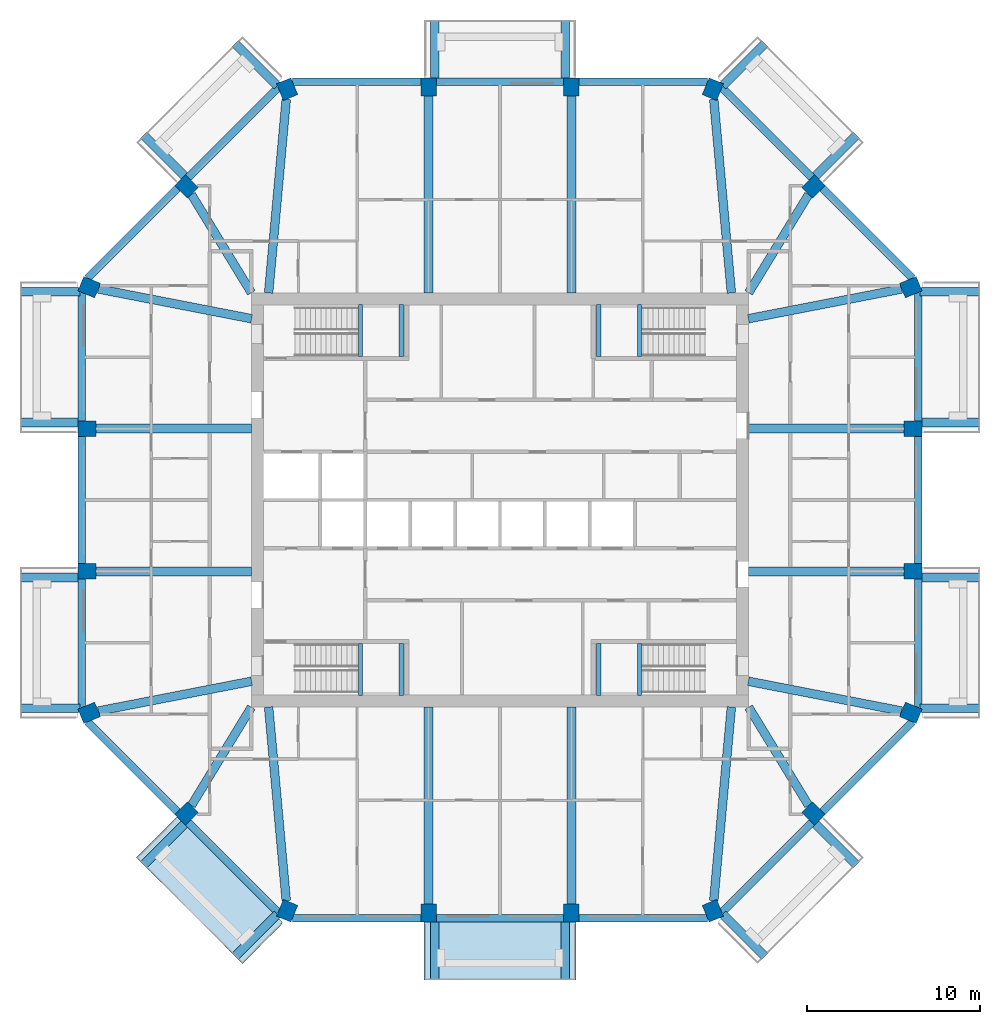
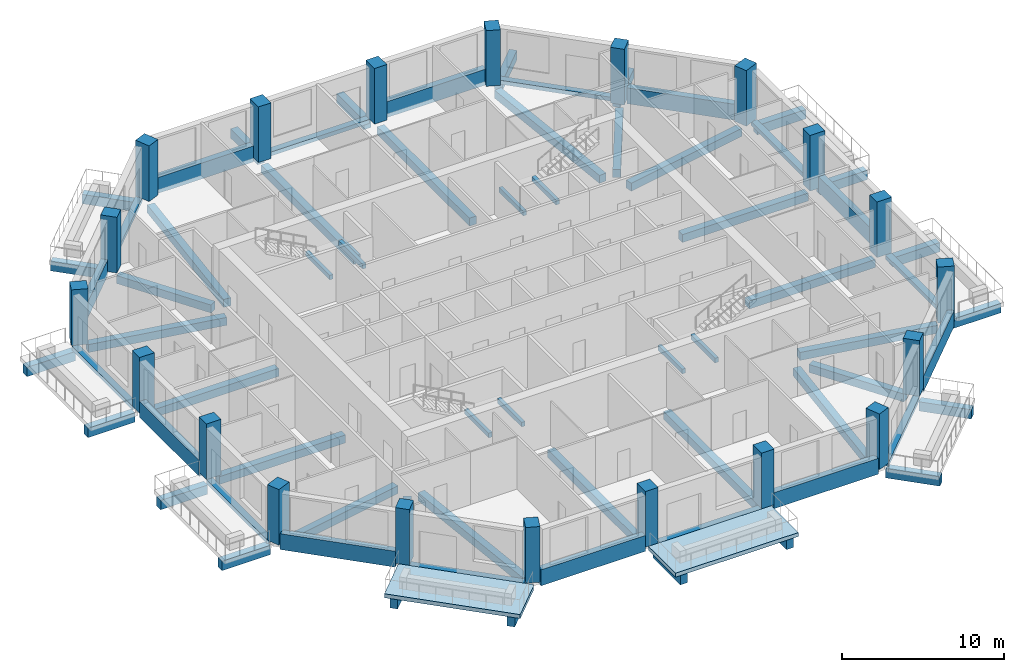
# One storey, part 1 of 12: 68 beams, 20 columns, 2 slabs.
"""IFC4 building model written with IfcOpenShell, lengths in metres."""

from ifc_helpers import new_model, si_unit, direction, frame, origin, origin_2d, place, context, subcontext, project, spatial, polyline, rectangle, outline, extrude, material, layer, layer_set, material_profile, profile_set, type_object, element, save


model = new_model("IFC4")

# Units and contexts
model_context = context("Model", 3, precision=1e-05, world=origin(), true_north=direction((0.0, 1.0)))
body_context = subcontext(model_context, "Body", "Model", "MODEL_VIEW")
ifc_project = project(units=[si_unit("LENGTHUNIT", "METRE"), si_unit("AREAUNIT", "SQUARE_METRE"), si_unit("VOLUMEUNIT", "CUBIC_METRE"), si_unit("PLANEANGLEUNIT", "RADIAN"), si_unit("MASSUNIT", "GRAM", prefix="KILO")], contexts=[model_context])

# Site, building, storey
site_placement = place(None, origin())
site = spatial("IfcSite", under=ifc_project, at=site_placement, CompositionType="ELEMENT")
building_placement = place(site_placement, origin())
building = spatial("IfcBuilding", under=site, at=building_placement, Name="Msitu Wima Residences", CompositionType="ELEMENT")
storey_placement = place(building_placement, frame((0.0, 0.0, 166.5)))
storey = spatial("IfcBuildingStorey", under=building, at=storey_placement, Name="L38", CompositionType="ELEMENT", Elevation=166.5)

# Columns
ifc_material_1 = material(Name="Concrete C60/75", Category="concrete")
ifc_material_profile_1 = material_profile(ifc_material_1, rectangle(XDim=0.89990234375, YDim=1.050048828125, at=origin_2d()), Name="RC 900x1050")
ifc_profile_set_1 = profile_set([ifc_material_profile_1], Name="Concrete C60/75")
column_type = type_object("IfcColumnType", Name="Column RC 900x1050 Concrete C60/75", PredefinedType="COLUMN", material=ifc_profile_set_1)
for number, where, z_axis, x_axis, name in (
    (1, (23.792724609375, -12.325927734375, 0.0), (0.0, 0.0, 1.0), (0.382683496864, 0.923879505795, 0.0), "Column L38 C-E0"),
    (2, (23.925048828125, -4.13720703125, 0.0), (0.0, 0.0, 1.0), (0.0, 1.0, 0.0), "Column L38 C-E1"),
    (3, (23.925048828125, 4.13720703125, 0.0), (0.0, 0.0, 1.0), (0.0, 1.0, 0.0), "Column L38 C-E2"),
    (4, (23.792724609375, 12.325927734375, 0.0), (0.0, 0.0, 1.0), (-0.382683496864, 0.923879505795, 0.0), "Column L38 C-NE0"),
    (5, (18.15283203125, 18.15283203125, 0.0), (0.0, 0.0, 1.0), (-0.707106781187, 0.707106781187, 0.0), "Column L38 C-NE1"),
    (6, (12.325927734375, 23.792724609375, 0.0), (0.0, 0.0, 1.0), (-0.923879505795, 0.382683496864, 0.0), "Column L38 C-N0"),
    (7, (4.13720703125, 23.925048828125, 0.0), (0.0, 0.0, 1.0), (-1.0, 0.0, 0.0), "Column L38 C-N1"),
    (8, (-4.13720703125, 23.925048828125, 0.0), (0.0, 0.0, 1.0), (-1.0, 0.0, 0.0), "Column L38 C-N2"),
    (9, (-12.325927734375, 23.792724609375, 0.0), (0.0, 0.0, 1.0), (-0.923879505795, -0.382683496864, 0.0), "Column L38 C-NW0"),
    (10, (-18.15283203125, 18.15283203125, 0.0), (0.0, 0.0, 1.0), (-0.707106781187, -0.707106781187, 0.0), "Column L38 C-NW1"),
    (11, (-23.792724609375, 12.325927734375, 0.0), (0.0, 0.0, 1.0), (-0.382683496864, -0.923879505795, 0.0), "Column L38 C-W0"),
    (12, (-23.925048828125, 4.13720703125, 0.0), (0.0, 0.0, 1.0), (0.0, -1.0, 0.0), "Column L38 C-W1"),
    (13, (-23.925048828125, -4.13720703125, 0.0), (0.0, 0.0, 1.0), (0.0, -1.0, 0.0), "Column L38 C-W2"),
    (14, (-23.792724609375, -12.325927734375, 0.0), (0.0, 0.0, 1.0), (0.382683496864, -0.923879505795, 0.0), "Column L38 C-SW0"),
    (15, (-18.15283203125, -18.15283203125, 0.0), (0.0, 0.0, 1.0), (0.707106781187, -0.707106781187, 0.0), "Column L38 C-SW1"),
    (16, (-12.325927734375, -23.792724609375, 0.0), (0.0, 0.0, 1.0), (0.923879505795, -0.382683496864, 0.0), "Column L38 C-S0"),
    (17, (-4.13720703125, -23.925048828125, 0.0), (0.0, 0.0, 1.0), (1.0, 0.0, 0.0), "Column L38 C-S1"),
    (18, (4.13720703125, -23.925048828125, 0.0), (0.0, 0.0, 1.0), (1.0, 0.0, 0.0), "Column L38 C-S2"),
    (19, (12.325927734375, -23.792724609375, 0.0), (0.0, 0.0, 1.0), (0.923879505795, 0.382683496864, 0.0), "Column L38 C-SE0"),
    (20, (18.15283203125, -18.15283203125, 0.0), (0.0, 0.0, 1.0), (0.707106781187, 0.707106781187, 0.0), "Column L38 C-SE1"),
):
    element("IfcColumn", number, at=place(storey_placement, frame(where, z_axis=z_axis, x_axis=x_axis)), inside=storey, type_object=column_type, Name=name, PredefinedType="COLUMN", context=body_context, shape_type="SweptSolid", body=[
        extrude(rectangle(XDim=0.89990234375, YDim=1.050048828125, at=origin_2d()), origin(), (0.0, 0.0, 1.0), 4.199951171875),
    ])

# Beams
ifc_material_2 = material(Name="Concrete C50/60", Category="concrete")
ifc_material_profile_2 = material_profile(ifc_material_2, rectangle(XDim=0.5, YDim=0.60009765625, at=origin_2d()), Name="RC 500x600")
ifc_profile_set_2 = profile_set([ifc_material_profile_2], Name="Concrete C50/60")
beam_type_1 = type_object("IfcBeamType", Name="Beam RC 500x600 Concrete C50/60", PredefinedType="BEAM", material=ifc_profile_set_2)
beam_1_placement = place(storey_placement, frame((23.266845703125, -12.2236328125, -0.550048828125), z_axis=(-0.981627328559, 0.190808248841, 0.0), x_axis=(-0.190808248841, -0.981627328559, 0.0)))
element("IfcBeam", 21, at=beam_1_placement, inside=storey, type_object=beam_type_1, Name="Beam L38 C-E0", PredefinedType="BEAM", context=body_context, shape_type="SweptSolid", body=[
    extrude(rectangle(XDim=0.5, YDim=0.60009765625, at=origin_2d()), origin(), (0.0, 0.0, 1.0), 9.044921875),
])
for number, where, z_axis, x_axis, name in (
    (22, (23.39990234375, -4.13720703125, -0.550048828125), (-1.0, 0.0, 0.0), (0.0, -1.0, 0.0), "Beam L38 C-E1"),
    (23, (23.39990234375, 4.13720703125, -0.550048828125), (-1.0, 0.0, 0.0), (0.0, -1.0, 0.0), "Beam L38 C-E2"),
):
    element("IfcBeam", number, at=place(storey_placement, frame(where, z_axis=z_axis, x_axis=x_axis)), inside=storey, type_object=beam_type_1, Name=name, PredefinedType="BEAM", context=body_context, shape_type="SweptSolid", body=[
        extrude(rectangle(XDim=0.5, YDim=0.60009765625, at=origin_2d()), origin(), (0.0, 0.0, 1.0), 9.0),
    ])
beam_2_placement = place(storey_placement, frame((23.266845703125, 12.2236328125, -0.550048828125), z_axis=(-0.981627328559, -0.190808248841, 0.0), x_axis=(0.190808248841, -0.981627328559, 0.0)))
element("IfcBeam", 24, at=beam_2_placement, inside=storey, type_object=beam_type_1, Name="Beam L38 C-NE0", PredefinedType="BEAM", context=body_context, shape_type="SweptSolid", body=[
    extrude(rectangle(XDim=0.5, YDim=0.60009765625, at=origin_2d()), origin(), (0.0, 0.0, 1.0), 9.044921875),
])
beam_3_placement = place(storey_placement, frame((17.87158203125, 17.691650390625, -0.550048828125), z_axis=(-0.520734381113, -0.853718750132, 0.0), x_axis=(0.853718750132, -0.520734381113, 0.0)))
element("IfcBeam", 25, at=beam_3_placement, inside=storey, type_object=beam_type_1, Name="Beam L38 C-NE1", PredefinedType="BEAM", context=body_context, shape_type="SweptSolid", body=[
    extrude(rectangle(XDim=0.5, YDim=0.60009765625, at=origin_2d()), origin(), (0.0, 0.0, 1.0), 6.6669921875),
])
beam_4_placement = place(storey_placement, frame((12.379638671875, 23.2021484375, -0.550048828125), z_axis=(0.090713636077, -0.995877018627, 0.0), x_axis=(0.995877018627, 0.090713636077, 0.0)))
element("IfcBeam", 26, at=beam_4_placement, inside=storey, type_object=beam_type_1, Name="Beam L38 C-N0", PredefinedType="BEAM", context=body_context, shape_type="SweptSolid", body=[
    extrude(rectangle(XDim=0.5, YDim=0.60009765625, at=origin_2d()), origin(), (0.0, 0.0, 1.0), 11.260498046875),
])
for number, where, z_axis, x_axis, name in (
    (27, (4.13720703125, 23.39990234375, -0.550048828125), (0.0, -1.0, 0.0), (1.0, 0.0, 0.0), "Beam L38 C-N1"),
    (28, (-4.13720703125, 23.39990234375, -0.550048828125), (0.0, -1.0, 0.0), (1.0, 0.0, 0.0), "Beam L38 C-N2"),
):
    element("IfcBeam", number, at=place(storey_placement, frame(where, z_axis=z_axis, x_axis=x_axis)), inside=storey, type_object=beam_type_1, Name=name, PredefinedType="BEAM", context=body_context, shape_type="SweptSolid", body=[
        extrude(rectangle(XDim=0.5, YDim=0.60009765625, at=origin_2d()), origin(), (0.0, 0.0, 1.0), 11.39990234375),
    ])
beam_5_placement = place(storey_placement, frame((-12.379638671875, 23.2021484375, -0.550048828125), z_axis=(-0.090713636077, -0.995877018627, 0.0), x_axis=(0.995877018627, -0.090713636077, 0.0)))
element("IfcBeam", 29, at=beam_5_placement, inside=storey, type_object=beam_type_1, Name="Beam L38 C-NW0", PredefinedType="BEAM", context=body_context, shape_type="SweptSolid", body=[
    extrude(rectangle(XDim=0.5, YDim=0.60009765625, at=origin_2d()), origin(), (0.0, 0.0, 1.0), 11.260498046875),
])
beam_6_placement = place(storey_placement, frame((-17.87158203125, 17.691650390625, -0.550048828125), z_axis=(0.520734381113, -0.853718750132, 0.0), x_axis=(0.853718750132, 0.520734381113, 0.0)))
element("IfcBeam", 30, at=beam_6_placement, inside=storey, type_object=beam_type_1, Name="Beam L38 C-NW1", PredefinedType="BEAM", context=body_context, shape_type="SweptSolid", body=[
    extrude(rectangle(XDim=0.5, YDim=0.60009765625, at=origin_2d()), origin(), (0.0, 0.0, 1.0), 6.6669921875),
])
beam_7_placement = place(storey_placement, frame((-23.266845703125, 12.2236328125, -0.550048828125), z_axis=(0.981627328559, -0.190808248841, 0.0), x_axis=(0.190808248841, 0.981627328559, 0.0)))
element("IfcBeam", 31, at=beam_7_placement, inside=storey, type_object=beam_type_1, Name="Beam L38 C-W0", PredefinedType="BEAM", context=body_context, shape_type="SweptSolid", body=[
    extrude(rectangle(XDim=0.5, YDim=0.60009765625, at=origin_2d()), origin(), (0.0, 0.0, 1.0), 9.044921875),
])
for number, where, z_axis, x_axis, name in (
    (32, (-23.39990234375, 4.13720703125, -0.550048828125), (1.0, 0.0, 0.0), (0.0, 1.0, 0.0), "Beam L38 C-W1"),
    (33, (-23.39990234375, -4.13720703125, -0.550048828125), (1.0, 0.0, 0.0), (0.0, 1.0, 0.0), "Beam L38 C-W2"),
):
    element("IfcBeam", number, at=place(storey_placement, frame(where, z_axis=z_axis, x_axis=x_axis)), inside=storey, type_object=beam_type_1, Name=name, PredefinedType="BEAM", context=body_context, shape_type="SweptSolid", body=[
        extrude(rectangle(XDim=0.5, YDim=0.60009765625, at=origin_2d()), origin(), (0.0, 0.0, 1.0), 9.0),
    ])
beam_8_placement = place(storey_placement, frame((-23.266845703125, -12.2236328125, -0.550048828125), z_axis=(0.981627328559, 0.190808248841, 0.0), x_axis=(-0.190808248841, 0.981627328559, 0.0)))
element("IfcBeam", 34, at=beam_8_placement, inside=storey, type_object=beam_type_1, Name="Beam L38 C-SW0", PredefinedType="BEAM", context=body_context, shape_type="SweptSolid", body=[
    extrude(rectangle(XDim=0.5, YDim=0.60009765625, at=origin_2d()), origin(), (0.0, 0.0, 1.0), 9.044921875),
])
beam_9_placement = place(storey_placement, frame((-17.87158203125, -17.691650390625, -0.550048828125), z_axis=(0.520734381113, 0.853718750132, 0.0), x_axis=(-0.853718750132, 0.520734381113, 0.0)))
element("IfcBeam", 35, at=beam_9_placement, inside=storey, type_object=beam_type_1, Name="Beam L38 C-SW1", PredefinedType="BEAM", context=body_context, shape_type="SweptSolid", body=[
    extrude(rectangle(XDim=0.5, YDim=0.60009765625, at=origin_2d()), origin(), (0.0, 0.0, 1.0), 6.6669921875),
])
beam_10_placement = place(storey_placement, frame((-12.379638671875, -23.2021484375, -0.550048828125), z_axis=(-0.090713636077, 0.995877018627, 0.0), x_axis=(-0.995877018627, -0.090713636077, 0.0)))
element("IfcBeam", 36, at=beam_10_placement, inside=storey, type_object=beam_type_1, Name="Beam L38 C-S0", PredefinedType="BEAM", context=body_context, shape_type="SweptSolid", body=[
    extrude(rectangle(XDim=0.5, YDim=0.60009765625, at=origin_2d()), origin(), (0.0, 0.0, 1.0), 11.260498046875),
])
for number, where, z_axis, x_axis, name in (
    (37, (-4.13720703125, -23.39990234375, -0.550048828125), (0.0, 1.0, 0.0), (-1.0, 0.0, 0.0), "Beam L38 C-S1"),
    (38, (4.13720703125, -23.39990234375, -0.550048828125), (0.0, 1.0, 0.0), (-1.0, 0.0, 0.0), "Beam L38 C-S2"),
):
    element("IfcBeam", number, at=place(storey_placement, frame(where, z_axis=z_axis, x_axis=x_axis)), inside=storey, type_object=beam_type_1, Name=name, PredefinedType="BEAM", context=body_context, shape_type="SweptSolid", body=[
        extrude(rectangle(XDim=0.5, YDim=0.60009765625, at=origin_2d()), origin(), (0.0, 0.0, 1.0), 11.39990234375),
    ])
beam_11_placement = place(storey_placement, frame((12.379638671875, -23.2021484375, -0.550048828125), z_axis=(0.090713636077, 0.995877018627, 0.0), x_axis=(-0.995877018627, 0.090713636077, 0.0)))
element("IfcBeam", 39, at=beam_11_placement, inside=storey, type_object=beam_type_1, Name="Beam L38 C-SE0", PredefinedType="BEAM", context=body_context, shape_type="SweptSolid", body=[
    extrude(rectangle(XDim=0.5, YDim=0.60009765625, at=origin_2d()), origin(), (0.0, 0.0, 1.0), 11.260498046875),
])
beam_12_placement = place(storey_placement, frame((17.87158203125, -17.691650390625, -0.550048828125), z_axis=(-0.520734381113, 0.853718750132, 0.0), x_axis=(-0.853718750132, -0.520734381113, 0.0)))
element("IfcBeam", 40, at=beam_12_placement, inside=storey, type_object=beam_type_1, Name="Beam L38 C-SE1", PredefinedType="BEAM", context=body_context, shape_type="SweptSolid", body=[
    extrude(rectangle(XDim=0.5, YDim=0.60009765625, at=origin_2d()), origin(), (0.0, 0.0, 1.0), 6.6669921875),
])
ifc_material_profile_3 = material_profile(ifc_material_2, rectangle(XDim=0.5, YDim=0.699951171875, at=origin_2d()), Name="RC 500x700")
ifc_profile_set_3 = profile_set([ifc_material_profile_3], Name="Concrete C50/60")
beam_type_2 = type_object("IfcBeamType", Name="Cantilever beam RC 500x700 Concrete C50/60", PredefinedType="BEAM", material=ifc_profile_set_3)
beam_13_placement = place(storey_placement, frame((24.330810546875, -12.061767578125, -0.64990234375), z_axis=(1.0, 0.0, 0.0), x_axis=(0.0, 1.0, 0.0)))
element("IfcBeam", 41, at=beam_13_placement, inside=storey, type_object=beam_type_2, Name="Cantilever beam L38 BA-E0 A", PredefinedType="BEAM", context=body_context, shape_type="SweptSolid", body=[
    extrude(rectangle(XDim=0.5, YDim=0.699951171875, at=origin_2d()), origin(), (0.0, 0.0, 1.0), 3.46923828125),
])
for number, where, z_axis, x_axis, name in (
    (42, (24.449951171875, -4.4873046875, -0.64990234375), (1.0, 0.0, 0.0), (0.0, 1.0, 0.0), "Cantilever beam L38 BA-E0 B"),
    (43, (24.449951171875, 4.4873046875, -0.64990234375), (1.0, 0.0, 0.0), (0.0, 1.0, 0.0), "Cantilever beam L38 BA-E2 A"),
):
    element("IfcBeam", number, at=place(storey_placement, frame(where, z_axis=z_axis, x_axis=x_axis)), inside=storey, type_object=beam_type_2, Name=name, PredefinedType="BEAM", context=body_context, shape_type="SweptSolid", body=[
        extrude(rectangle(XDim=0.5, YDim=0.699951171875, at=origin_2d()), origin(), (0.0, 0.0, 1.0), 3.35009765625),
    ])
beam_14_placement = place(storey_placement, frame((24.330810546875, 12.061767578125, -0.64990234375), z_axis=(1.0, 0.0, 0.0), x_axis=(0.0, 1.0, 0.0)))
element("IfcBeam", 44, at=beam_14_placement, inside=storey, type_object=beam_type_2, Name="Cantilever beam L38 BA-E2 B", PredefinedType="BEAM", context=body_context, shape_type="SweptSolid", body=[
    extrude(rectangle(XDim=0.5, YDim=0.699951171875, at=origin_2d()), origin(), (0.0, 0.0, 1.0), 3.46923828125),
])
beam_15_placement = place(storey_placement, frame((18.276611328125, 18.771484375, -0.64990234375), z_axis=(0.707106781187, 0.707106781187, 0.0), x_axis=(-0.707106781187, 0.707106781187, 0.0)))
element("IfcBeam", 45, at=beam_15_placement, inside=storey, type_object=beam_type_2, Name="Cantilever beam L38 BA-NE1 A", PredefinedType="BEAM", context=body_context, shape_type="SweptSolid", body=[
    extrude(rectangle(XDim=0.5, YDim=0.699951171875, at=origin_2d()), origin(), (0.0, 0.0, 1.0), 3.35009765625),
])
beam_16_placement = place(storey_placement, frame((12.893310546875, 23.986572265625, -0.64990234375), z_axis=(0.707106781187, 0.707106781187, 0.0), x_axis=(-0.707106781187, 0.707106781187, 0.0)))
element("IfcBeam", 46, at=beam_16_placement, inside=storey, type_object=beam_type_2, Name="Cantilever beam L38 BA-NE1 B", PredefinedType="BEAM", context=body_context, shape_type="SweptSolid", body=[
    extrude(rectangle(XDim=0.5, YDim=0.699951171875, at=origin_2d()), origin(), (0.0, 0.0, 1.0), 3.468994140625),
])
for number, where, z_axis, x_axis, name in (
    (47, (3.787353515625, 24.449951171875, -0.64990234375), (0.0, 1.0, 0.0), (-1.0, 0.0, 0.0), "Cantilever beam L38 BA-N1 A"),
    (48, (-3.787353515625, 24.449951171875, -0.64990234375), (0.0, 1.0, 0.0), (-1.0, 0.0, 0.0), "Cantilever beam L38 BA-N1 B"),
):
    element("IfcBeam", number, at=place(storey_placement, frame(where, z_axis=z_axis, x_axis=x_axis)), inside=storey, type_object=beam_type_2, Name=name, PredefinedType="BEAM", context=body_context, shape_type="SweptSolid", body=[
        extrude(rectangle(XDim=0.5, YDim=0.699951171875, at=origin_2d()), origin(), (0.0, 0.0, 1.0), 3.35009765625),
    ])
beam_17_placement = place(storey_placement, frame((-12.893310546875, 23.986572265625, -0.64990234375), z_axis=(-0.707106781187, 0.707106781187, 0.0), x_axis=(-0.707106781187, -0.707106781187, 0.0)))
element("IfcBeam", 49, at=beam_17_placement, inside=storey, type_object=beam_type_2, Name="Cantilever beam L38 BA-NW0 A", PredefinedType="BEAM", context=body_context, shape_type="SweptSolid", body=[
    extrude(rectangle(XDim=0.5, YDim=0.699951171875, at=origin_2d()), origin(), (0.0, 0.0, 1.0), 3.468994140625),
])
beam_18_placement = place(storey_placement, frame((-18.276611328125, 18.771484375, -0.64990234375), z_axis=(-0.707106781187, 0.707106781187, 0.0), x_axis=(-0.707106781187, -0.707106781187, 0.0)))
element("IfcBeam", 50, at=beam_18_placement, inside=storey, type_object=beam_type_2, Name="Cantilever beam L38 BA-NW0 B", PredefinedType="BEAM", context=body_context, shape_type="SweptSolid", body=[
    extrude(rectangle(XDim=0.5, YDim=0.699951171875, at=origin_2d()), origin(), (0.0, 0.0, 1.0), 3.35009765625),
])
beam_19_placement = place(storey_placement, frame((-24.330810546875, 12.061767578125, -0.64990234375), z_axis=(-1.0, 0.0, 0.0), x_axis=(0.0, -1.0, 0.0)))
element("IfcBeam", 51, at=beam_19_placement, inside=storey, type_object=beam_type_2, Name="Cantilever beam L38 BA-W0 A", PredefinedType="BEAM", context=body_context, shape_type="SweptSolid", body=[
    extrude(rectangle(XDim=0.5, YDim=0.699951171875, at=origin_2d()), origin(), (0.0, 0.0, 1.0), 3.46923828125),
])
for number, where, z_axis, x_axis, name in (
    (52, (-24.449951171875, 4.4873046875, -0.64990234375), (-1.0, 0.0, 0.0), (0.0, -1.0, 0.0), "Cantilever beam L38 BA-W0 B"),
    (53, (-24.449951171875, -4.4873046875, -0.64990234375), (-1.0, 0.0, 0.0), (0.0, -1.0, 0.0), "Cantilever beam L38 BA-W2 A"),
):
    element("IfcBeam", number, at=place(storey_placement, frame(where, z_axis=z_axis, x_axis=x_axis)), inside=storey, type_object=beam_type_2, Name=name, PredefinedType="BEAM", context=body_context, shape_type="SweptSolid", body=[
        extrude(rectangle(XDim=0.5, YDim=0.699951171875, at=origin_2d()), origin(), (0.0, 0.0, 1.0), 3.35009765625),
    ])
beam_20_placement = place(storey_placement, frame((-24.330810546875, -12.061767578125, -0.64990234375), z_axis=(-1.0, 0.0, 0.0), x_axis=(0.0, -1.0, 0.0)))
element("IfcBeam", 54, at=beam_20_placement, inside=storey, type_object=beam_type_2, Name="Cantilever beam L38 BA-W2 B", PredefinedType="BEAM", context=body_context, shape_type="SweptSolid", body=[
    extrude(rectangle(XDim=0.5, YDim=0.699951171875, at=origin_2d()), origin(), (0.0, 0.0, 1.0), 3.46923828125),
])
beam_21_placement = place(storey_placement, frame((-18.276611328125, -18.771484375, -0.64990234375), z_axis=(-0.707106781187, -0.707106781187, 0.0), x_axis=(0.707106781187, -0.707106781187, 0.0)))
element("IfcBeam", 55, at=beam_21_placement, inside=storey, type_object=beam_type_2, Name="Cantilever beam L38 BA-SW1 A", PredefinedType="BEAM", context=body_context, shape_type="SweptSolid", body=[
    extrude(rectangle(XDim=0.5, YDim=0.699951171875, at=origin_2d()), origin(), (0.0, 0.0, 1.0), 3.35009765625),
])
beam_22_placement = place(storey_placement, frame((-12.893310546875, -23.986572265625, -0.64990234375), z_axis=(-0.707106781187, -0.707106781187, 0.0), x_axis=(0.707106781187, -0.707106781187, 0.0)))
element("IfcBeam", 56, at=beam_22_placement, inside=storey, type_object=beam_type_2, Name="Cantilever beam L38 BA-SW1 B", PredefinedType="BEAM", context=body_context, shape_type="SweptSolid", body=[
    extrude(rectangle(XDim=0.5, YDim=0.699951171875, at=origin_2d()), origin(), (0.0, 0.0, 1.0), 3.468994140625),
])
for number, where, z_axis, x_axis, name in (
    (57, (-3.787353515625, -24.449951171875, -0.64990234375), (0.0, -1.0, 0.0), (1.0, 0.0, 0.0), "Cantilever beam L38 BA-S1 A"),
    (58, (3.787353515625, -24.449951171875, -0.64990234375), (0.0, -1.0, 0.0), (1.0, 0.0, 0.0), "Cantilever beam L38 BA-S1 B"),
):
    element("IfcBeam", number, at=place(storey_placement, frame(where, z_axis=z_axis, x_axis=x_axis)), inside=storey, type_object=beam_type_2, Name=name, PredefinedType="BEAM", context=body_context, shape_type="SweptSolid", body=[
        extrude(rectangle(XDim=0.5, YDim=0.699951171875, at=origin_2d()), origin(), (0.0, 0.0, 1.0), 3.35009765625),
    ])
beam_23_placement = place(storey_placement, frame((12.893310546875, -23.986572265625, -0.64990234375), z_axis=(0.707106781187, -0.707106781187, 0.0), x_axis=(0.707106781187, 0.707106781187, 0.0)))
element("IfcBeam", 59, at=beam_23_placement, inside=storey, type_object=beam_type_2, Name="Cantilever beam L38 BA-SE0 A", PredefinedType="BEAM", context=body_context, shape_type="SweptSolid", body=[
    extrude(rectangle(XDim=0.5, YDim=0.699951171875, at=origin_2d()), origin(), (0.0, 0.0, 1.0), 3.468994140625),
])
beam_24_placement = place(storey_placement, frame((18.276611328125, -18.771484375, -0.64990234375), z_axis=(0.707106781187, -0.707106781187, 0.0), x_axis=(0.707106781187, 0.707106781187, 0.0)))
element("IfcBeam", 60, at=beam_24_placement, inside=storey, type_object=beam_type_2, Name="Cantilever beam L38 BA-SE0 B", PredefinedType="BEAM", context=body_context, shape_type="SweptSolid", body=[
    extrude(rectangle(XDim=0.5, YDim=0.699951171875, at=origin_2d()), origin(), (0.0, 0.0, 1.0), 3.35009765625),
])
ifc_material_profile_4 = material_profile(ifc_material_2, rectangle(XDim=0.449951171875, YDim=0.300048828125, at=origin_2d()), Name="RC 450x300")
ifc_profile_set_4 = profile_set([ifc_material_profile_4], Name="Concrete C50/60")
beam_type_3 = type_object("IfcBeamType", Name="Edge beam RC 450x300 Concrete C50/60", PredefinedType="SPANDREL", material=ifc_profile_set_4)
for number, where, z_axis, x_axis, name in (
    (61, (24.22509765625, -12.02978515625, -0.14990234375), (0.0, 1.0, 0.0), (-1.0, 0.0, 0.0), "Spandrel L38 E0"),
    (62, (24.22509765625, 4.587158203125, -0.14990234375), (0.0, 1.0, 0.0), (-1.0, 0.0, 0.0), "Spandrel L38 E2"),
):
    element("IfcBeam", number, at=place(storey_placement, frame(where, z_axis=z_axis, x_axis=x_axis)), inside=storey, type_object=beam_type_3, Name=name, PredefinedType="SPANDREL", context=body_context, shape_type="SweptSolid", body=[
        extrude(rectangle(XDim=0.449951171875, YDim=0.300048828125, at=origin_2d()), origin(), (0.0, 0.0, 1.0), 7.442626953125),
    ])
beam_25_placement = place(storey_placement, frame((18.046875, 18.68310546875, -0.14990234375), z_axis=(-0.707106781187, 0.707106781187, 0.0), x_axis=(-0.707106781187, -0.707106781187, 0.0)))
element("IfcBeam", 63, at=beam_25_placement, inside=storey, type_object=beam_type_3, Name="Spandrel L38 NE1", PredefinedType="SPANDREL", context=body_context, shape_type="SweptSolid", body=[
    extrude(rectangle(XDim=0.449951171875, YDim=0.300048828125, at=origin_2d()), origin(), (0.0, 0.0, 1.0), 7.362548828125),
])
beam_26_placement = place(storey_placement, frame((3.687255859375, 24.22509765625, -0.14990234375), z_axis=(-1.0, 0.0, 0.0), x_axis=(0.0, -1.0, 0.0)))
element("IfcBeam", 64, at=beam_26_placement, inside=storey, type_object=beam_type_3, Name="Spandrel L38 N1", PredefinedType="SPANDREL", context=body_context, shape_type="SweptSolid", body=[
    extrude(rectangle(XDim=0.449951171875, YDim=0.300048828125, at=origin_2d()), origin(), (0.0, 0.0, 1.0), 7.37451171875),
])
beam_27_placement = place(storey_placement, frame((-12.8408203125, 23.88916015625, -0.14990234375), z_axis=(-0.707106781187, -0.707106781187, 0.0), x_axis=(0.707106781187, -0.707106781187, 0.0)))
element("IfcBeam", 65, at=beam_27_placement, inside=storey, type_object=beam_type_3, Name="Spandrel L38 NW0", PredefinedType="SPANDREL", context=body_context, shape_type="SweptSolid", body=[
    extrude(rectangle(XDim=0.449951171875, YDim=0.300048828125, at=origin_2d()), origin(), (0.0, 0.0, 1.0), 7.362548828125),
])
for number, where, z_axis, x_axis, name in (
    (66, (-24.22509765625, 12.02978515625, -0.14990234375), (0.0, -1.0, 0.0), (1.0, 0.0, 0.0), "Spandrel L38 W0"),
    (67, (-24.22509765625, -4.587158203125, -0.14990234375), (0.0, -1.0, 0.0), (1.0, 0.0, 0.0), "Spandrel L38 W2"),
):
    element("IfcBeam", number, at=place(storey_placement, frame(where, z_axis=z_axis, x_axis=x_axis)), inside=storey, type_object=beam_type_3, Name=name, PredefinedType="SPANDREL", context=body_context, shape_type="SweptSolid", body=[
        extrude(rectangle(XDim=0.449951171875, YDim=0.300048828125, at=origin_2d()), origin(), (0.0, 0.0, 1.0), 7.442626953125),
    ])
beam_28_placement = place(storey_placement, frame((-18.046875, -18.68310546875, -0.14990234375), z_axis=(0.707106781187, -0.707106781187, 0.0), x_axis=(0.707106781187, 0.707106781187, 0.0)))
element("IfcBeam", 68, at=beam_28_placement, inside=storey, type_object=beam_type_3, Name="Spandrel L38 SW1", PredefinedType="SPANDREL", context=body_context, shape_type="SweptSolid", body=[
    extrude(rectangle(XDim=0.449951171875, YDim=0.300048828125, at=origin_2d()), origin(), (0.0, 0.0, 1.0), 7.362548828125),
])
beam_29_placement = place(storey_placement, frame((-3.687255859375, -24.22509765625, -0.14990234375), z_axis=(1.0, 0.0, 0.0), x_axis=(0.0, 1.0, 0.0)))
element("IfcBeam", 69, at=beam_29_placement, inside=storey, type_object=beam_type_3, Name="Spandrel L38 S1", PredefinedType="SPANDREL", context=body_context, shape_type="SweptSolid", body=[
    extrude(rectangle(XDim=0.449951171875, YDim=0.300048828125, at=origin_2d()), origin(), (0.0, 0.0, 1.0), 7.37451171875),
])
beam_30_placement = place(storey_placement, frame((12.8408203125, -23.88916015625, -0.14990234375), z_axis=(0.707106781187, 0.707106781187, 0.0), x_axis=(-0.707106781187, 0.707106781187, 0.0)))
element("IfcBeam", 70, at=beam_30_placement, inside=storey, type_object=beam_type_3, Name="Spandrel L38 SE0", PredefinedType="SPANDREL", context=body_context, shape_type="SweptSolid", body=[
    extrude(rectangle(XDim=0.449951171875, YDim=0.300048828125, at=origin_2d()), origin(), (0.0, 0.0, 1.0), 7.362548828125),
])
ifc_material_3 = material(Name="Concrete C40/50", Category="concrete")
ifc_material_profile_5 = material_profile(ifc_material_3, rectangle(XDim=0.25, YDim=0.35009765625, at=origin_2d()), Name="RC 250x350")
ifc_profile_set_5 = profile_set([ifc_material_profile_5], Name="Concrete C40/50")
beam_type_4 = type_object("IfcBeamType", Name="Landing beam RC 250x350", PredefinedType="BEAM", material=ifc_profile_set_5)
for number, where, z_axis, x_axis, name in (
    (71, (-8.074951171875, 8.324951171875, 1.72509765625), (0.0, 1.0, 0.0), (-1.0, 0.0, 0.0), "Stair 1 landing beam"),
    (72, (-5.72509765625, 8.324951171875, 1.72509765625), (0.0, 1.0, 0.0), (-1.0, 0.0, 0.0), "Stair 1 landing beam"),
    (73, (-8.074951171875, -11.324951171875, 1.72509765625), (0.0, 1.0, 0.0), (-1.0, 0.0, 0.0), "Stair 2 landing beam"),
    (74, (-5.72509765625, -11.324951171875, 1.72509765625), (0.0, 1.0, 0.0), (-1.0, 0.0, 0.0), "Stair 2 landing beam"),
    (75, (8.074951171875, 8.324951171875, 1.72509765625), (0.0, 1.0, 0.0), (-1.0, 0.0, 0.0), "Stair 3 landing beam"),
    (76, (5.72509765625, 8.324951171875, 1.72509765625), (0.0, 1.0, 0.0), (-1.0, 0.0, 0.0), "Stair 3 landing beam"),
    (77, (8.074951171875, -11.324951171875, 1.72509765625), (0.0, 1.0, 0.0), (-1.0, 0.0, 0.0), "Stair 4 landing beam"),
    (78, (5.72509765625, -11.324951171875, 1.72509765625), (0.0, 1.0, 0.0), (-1.0, 0.0, 0.0), "Stair 4 landing beam"),
):
    element("IfcBeam", number, at=place(storey_placement, frame(where, z_axis=z_axis, x_axis=x_axis)), inside=storey, type_object=beam_type_4, Name=name, PredefinedType="BEAM", context=body_context, shape_type="SweptSolid", body=[
        extrude(rectangle(XDim=0.25, YDim=0.35009765625, at=origin_2d()), origin(), (0.0, 0.0, 1.0), 3.0),
    ])
ifc_material_profile_6 = material_profile(ifc_material_2, rectangle(XDim=0.449951171875, YDim=1.199951171875, at=origin_2d()), Name="RC 450x1200")
ifc_profile_set_6 = profile_set([ifc_material_profile_6], Name="Concrete C50/60")
beam_type_5 = type_object("IfcBeamType", Name="Spandrel RC 450x1200 Concrete C50/60", PredefinedType="SPANDREL", material=ifc_profile_set_6)
beam_31_placement = place(storey_placement, frame((24.22509765625, -3.687255859375, 0.300048828125), z_axis=(0.0, 1.0, 0.0), x_axis=(-1.0, 0.0, 0.0)))
element("IfcBeam", 79, at=beam_31_placement, inside=storey, type_object=beam_type_5, Name="Spandrel L38 E1", PredefinedType="SPANDREL", context=body_context, shape_type="SweptSolid", body=[
    extrude(rectangle(XDim=0.449951171875, YDim=1.199951171875, at=origin_2d()), origin(), (0.0, 0.0, 1.0), 7.37451171875),
])
beam_32_placement = place(storey_placement, frame((23.88916015625, 12.8408203125, 0.300048828125), z_axis=(-0.707106781187, 0.707106781187, 0.0), x_axis=(-0.707106781187, -0.707106781187, 0.0)))
element("IfcBeam", 80, at=beam_32_placement, inside=storey, type_object=beam_type_5, Name="Spandrel L38 NE0", PredefinedType="SPANDREL", context=body_context, shape_type="SweptSolid", body=[
    extrude(rectangle(XDim=0.449951171875, YDim=1.199951171875, at=origin_2d()), origin(), (0.0, 0.0, 1.0), 7.362548828125),
])
for number, where, z_axis, x_axis, name in (
    (81, (12.02978515625, 24.22509765625, 0.300048828125), (-1.0, 0.0, 0.0), (0.0, -1.0, 0.0), "Spandrel L38 N0"),
    (82, (-4.587158203125, 24.22509765625, 0.300048828125), (-1.0, 0.0, 0.0), (0.0, -1.0, 0.0), "Spandrel L38 N2"),
):
    element("IfcBeam", number, at=place(storey_placement, frame(where, z_axis=z_axis, x_axis=x_axis)), inside=storey, type_object=beam_type_5, Name=name, PredefinedType="SPANDREL", context=body_context, shape_type="SweptSolid", body=[
        extrude(rectangle(XDim=0.449951171875, YDim=1.199951171875, at=origin_2d()), origin(), (0.0, 0.0, 1.0), 7.442626953125),
    ])
beam_33_placement = place(storey_placement, frame((-18.68310546875, 18.046875, 0.300048828125), z_axis=(-0.707106781187, -0.707106781187, 0.0), x_axis=(0.707106781187, -0.707106781187, 0.0)))
element("IfcBeam", 83, at=beam_33_placement, inside=storey, type_object=beam_type_5, Name="Spandrel L38 NW1", PredefinedType="SPANDREL", context=body_context, shape_type="SweptSolid", body=[
    extrude(rectangle(XDim=0.449951171875, YDim=1.199951171875, at=origin_2d()), origin(), (0.0, 0.0, 1.0), 7.362548828125),
])
beam_34_placement = place(storey_placement, frame((-24.22509765625, 3.687255859375, 0.300048828125), z_axis=(0.0, -1.0, 0.0), x_axis=(1.0, 0.0, 0.0)))
element("IfcBeam", 84, at=beam_34_placement, inside=storey, type_object=beam_type_5, Name="Spandrel L38 W1", PredefinedType="SPANDREL", context=body_context, shape_type="SweptSolid", body=[
    extrude(rectangle(XDim=0.449951171875, YDim=1.199951171875, at=origin_2d()), origin(), (0.0, 0.0, 1.0), 7.37451171875),
])
beam_35_placement = place(storey_placement, frame((-23.88916015625, -12.8408203125, 0.300048828125), z_axis=(0.707106781187, -0.707106781187, 0.0), x_axis=(0.707106781187, 0.707106781187, 0.0)))
element("IfcBeam", 85, at=beam_35_placement, inside=storey, type_object=beam_type_5, Name="Spandrel L38 SW0", PredefinedType="SPANDREL", context=body_context, shape_type="SweptSolid", body=[
    extrude(rectangle(XDim=0.449951171875, YDim=1.199951171875, at=origin_2d()), origin(), (0.0, 0.0, 1.0), 7.362548828125),
])
for number, where, z_axis, x_axis, name in (
    (86, (-12.02978515625, -24.22509765625, 0.300048828125), (1.0, 0.0, 0.0), (0.0, 1.0, 0.0), "Spandrel L38 S0"),
    (87, (4.587158203125, -24.22509765625, 0.300048828125), (1.0, 0.0, 0.0), (0.0, 1.0, 0.0), "Spandrel L38 S2"),
):
    element("IfcBeam", number, at=place(storey_placement, frame(where, z_axis=z_axis, x_axis=x_axis)), inside=storey, type_object=beam_type_5, Name=name, PredefinedType="SPANDREL", context=body_context, shape_type="SweptSolid", body=[
        extrude(rectangle(XDim=0.449951171875, YDim=1.199951171875, at=origin_2d()), origin(), (0.0, 0.0, 1.0), 7.442626953125),
    ])
beam_36_placement = place(storey_placement, frame((18.68310546875, -18.046875, 0.300048828125), z_axis=(0.707106781187, 0.707106781187, 0.0), x_axis=(-0.707106781187, 0.707106781187, 0.0)))
element("IfcBeam", 88, at=beam_36_placement, inside=storey, type_object=beam_type_5, Name="Spandrel L38 SE1", PredefinedType="SPANDREL", context=body_context, shape_type="SweptSolid", body=[
    extrude(rectangle(XDim=0.449951171875, YDim=1.199951171875, at=origin_2d()), origin(), (0.0, 0.0, 1.0), 7.362548828125),
])

# Slabs
ifc_layer = layer(ifc_material_3, 0.300048828125)
ifc_layer_set = layer_set([ifc_layer], Name="Concrete C40/50")
slab_type = type_object("IfcSlabType", Name="Balcony slab BS300", PredefinedType="FLOOR", material=ifc_layer_set)
slab_1_placement = place(storey_placement, frame((0.0, 0.0, -0.300048828125)))
element("IfcSlab", 89, at=slab_1_placement, inside=storey, type_object=slab_type, Name="Balcony SW1 L38", PredefinedType="FLOOR", context=body_context, shape_type="SweptSolid", body=[
    extrude(outline(polyline([(-12.942626953125, -24.10546875), (-12.942626953125, -24.10546875), (-12.59814453125, -24.449951171875), (-12.661865234375, -24.603515625), (-14.922119140625, -26.86376953125), (-21.069580078125, -20.716064453125), (-18.700927734375, -18.347412109375), (-12.942626953125, -24.10546875), (-12.942626953125, -24.10546875)])), origin(), (0.0, 0.0, 1.0), 0.300048828125),
])
slab_2_placement = place(storey_placement, frame((0.0, 0.0, -0.300048828125)))
element("IfcSlab", 90, at=slab_2_placement, inside=storey, type_object=slab_type, Name="Balcony S1 L38", PredefinedType="FLOOR", context=body_context, shape_type="SweptSolid", body=[
    extrude(outline(polyline([(-3.687255859375, -24.449951171875), (3.687255859375, -24.449951171875), (4.38720703125, -24.449951171875), (4.38720703125, -27.800048828125), (-4.38720703125, -27.800048828125), (-4.38720703125, -24.449951171875), (-3.687255859375, -24.449951171875)])), origin(), (0.0, 0.0, 1.0), 0.300048828125),
])

save(model, "model.ifc")
